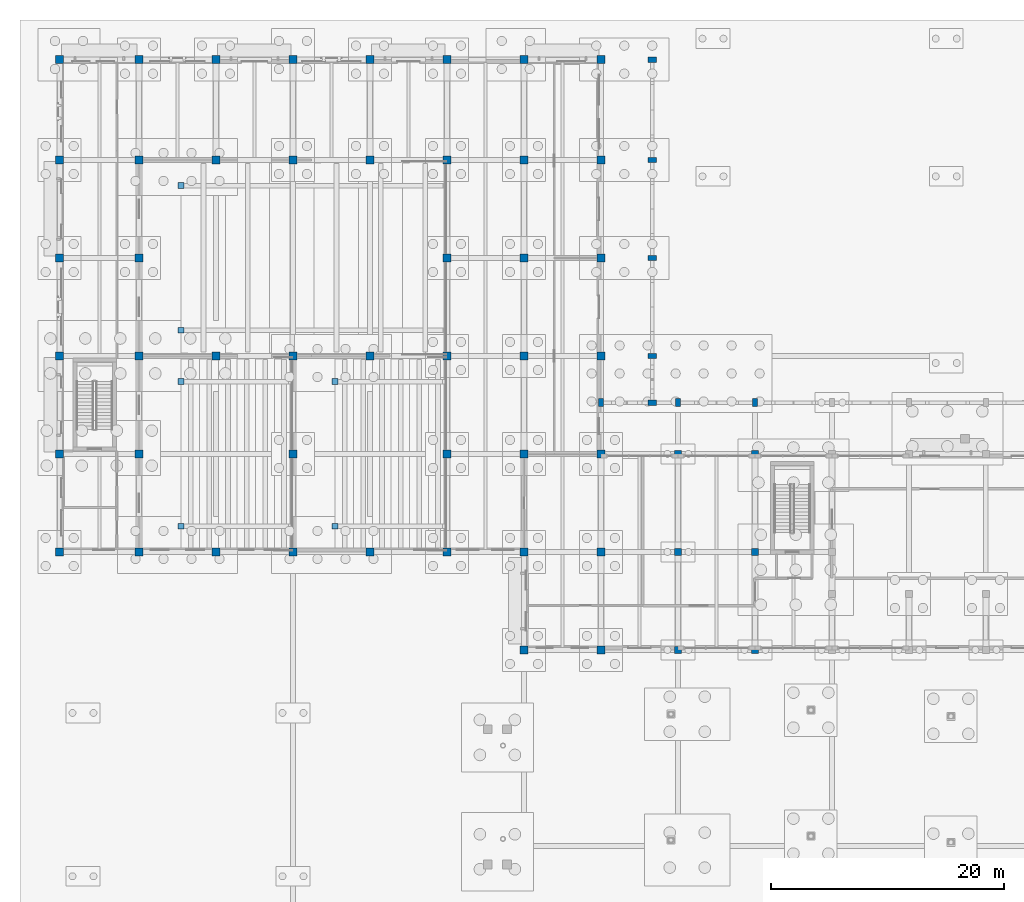
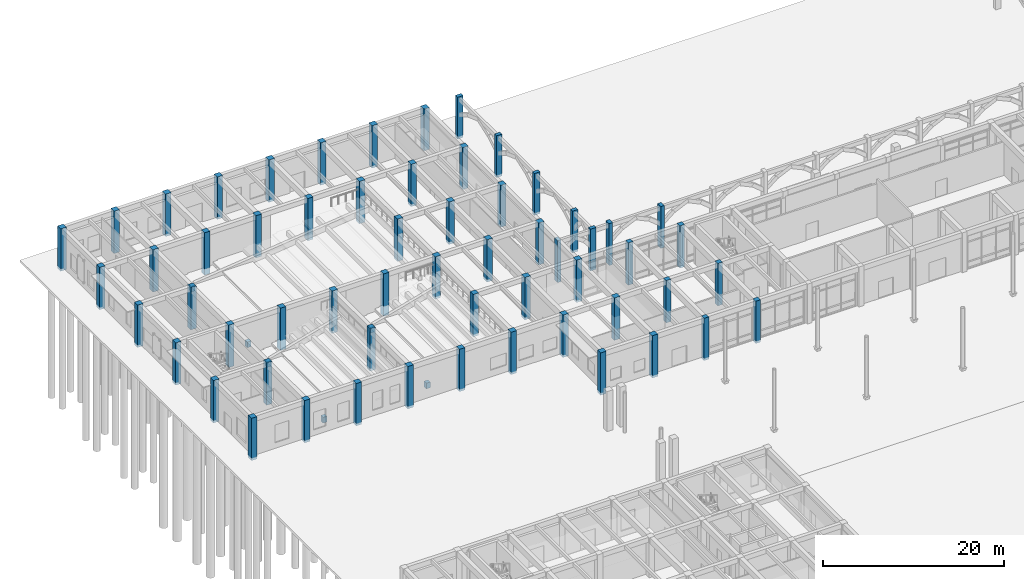
# One storey, part 15 of 82: 65 columns.
"""IFC4 building model written with IfcOpenShell, lengths in metres."""

from ifc_helpers import new_model, si_unit, direction, frame, origin, origin_2d, place, context, subcontext, project, spatial, rectangle, extrude, material, material_profile, profile_set, type_object, element, save


model = new_model("IFC4")

# Units and contexts
model_context = context("Model", 3, precision=1e-05, world=origin(), true_north=direction((0.0, 1.0)))
body_context = subcontext(model_context, "Body", "Model", "MODEL_VIEW")
ifc_project = project(units=[si_unit("LENGTHUNIT", "METRE"), si_unit("AREAUNIT", "SQUARE_METRE"), si_unit("VOLUMEUNIT", "CUBIC_METRE"), si_unit("PLANEANGLEUNIT", "RADIAN"), si_unit("MASSUNIT", "GRAM", prefix="KILO")], contexts=[model_context])

# Site, building, storey
site_placement = place(None, origin())
site = spatial("IfcSite", under=ifc_project, at=site_placement, CompositionType="ELEMENT")
building_placement = place(site_placement, origin())
building = spatial("IfcBuilding", under=site, at=building_placement, Name="Kolvaren Faculty of Natural Sciences", CompositionType="ELEMENT")
storey_placement = place(building_placement, origin())
storey = spatial("IfcBuildingStorey", under=building, at=storey_placement, Name="L00", CompositionType="ELEMENT", Elevation=0.0)

# Columns
ifc_material_1 = material(Name="Concrete C35/45", Category="concrete")
ifc_material_profile_1 = material_profile(ifc_material_1, rectangle(XDim=0.60009765625, YDim=0.60009765625, at=origin_2d()), Name="RC COL 600x600")
ifc_profile_set_1 = profile_set([ifc_material_profile_1], Name="Concrete C35/45")
column_type_1 = type_object("IfcColumnType", Name="FrameColumn_600x600", PredefinedType="COLUMN", material=ifc_profile_set_1)
for number, where, z_axis, x_axis, name in (
    (1, (53.0, 67.39990234375, -0.320068359375), (0.0, 0.0, 1.0), (1.0, 0.0, 0.0), "L00 column FC-60 at 9/J"),
    (2, (53.0, 75.800048828125, -0.320068359375), (0.0, 0.0, 1.0), (1.0, 0.0, 0.0), "L00 column FC-60 at 9/K"),
    (3, (53.0, 84.199951171875, -0.320068359375), (0.0, 0.0, 1.0), (1.0, 0.0, 0.0), "L00 column FC-60 at 9/L"),
    (4, (59.60009765625, 67.39990234375, -0.320068359375), (0.0, 0.0, 1.0), (1.0, 0.0, 0.0), "L00 column FC-60 at 10/J"),
    (5, (59.60009765625, 75.800048828125, -0.320068359375), (0.0, 0.0, 1.0), (1.0, 0.0, 0.0), "L00 column FC-60 at 10/K"),
    (6, (59.60009765625, 84.199951171875, -0.320068359375), (0.0, 0.0, 1.0), (1.0, 0.0, 0.0), "L00 column FC-60 at 10/L"),
):
    element("IfcColumn", number, at=place(storey_placement, frame(where, z_axis=z_axis, x_axis=x_axis)), inside=storey, type_object=column_type_1, Name=name, PredefinedType="COLUMN", context=body_context, shape_type="SweptSolid", body=[
        extrude(rectangle(XDim=0.60009765625, YDim=0.60009765625, at=origin_2d()), origin(), (0.0, 0.0, 1.0), 5.719970703125),
    ])
ifc_material_profile_2 = material_profile(ifc_material_1, rectangle(XDim=0.5, YDim=0.5, at=origin_2d()), Name="RC COL 500x500")
ifc_profile_set_2 = profile_set([ifc_material_profile_2], Name="Concrete C35/45")
column_type_2 = type_object("IfcColumnType", Name="GaliboColumn_500x500", PredefinedType="COLUMN", material=ifc_profile_set_2)
for number, where, z_axis, x_axis, name in (
    (7, (10.39990234375, 94.800048828125, -0.320068359375), (0.0, 0.0, 1.0), (1.0, 0.0, 0.0), "Lecture theatre LT-1 raker toe pedestal 1"),
    (8, (10.39990234375, 107.199951171875, -0.320068359375), (0.0, 0.0, 1.0), (1.0, 0.0, 0.0), "Lecture theatre LT-1 raker toe pedestal 2"),
    (9, (10.39990234375, 78.0, -0.320068359375), (0.0, 0.0, 1.0), (1.0, 0.0, 0.0), "Lecture theatre LT-2 raker toe pedestal 1"),
    (10, (10.39990234375, 90.39990234375, -0.320068359375), (0.0, 0.0, 1.0), (1.0, 0.0, 0.0), "Lecture theatre LT-2 raker toe pedestal 2"),
    (11, (23.60009765625, 78.0, -0.320068359375), (0.0, 0.0, 1.0), (1.0, 0.0, 0.0), "Lecture theatre LT-3 raker toe pedestal 1"),
    (12, (23.60009765625, 90.39990234375, -0.320068359375), (0.0, 0.0, 1.0), (1.0, 0.0, 0.0), "Lecture theatre LT-3 raker toe pedestal 2"),
):
    element("IfcColumn", number, at=place(storey_placement, frame(where, z_axis=z_axis, x_axis=x_axis)), inside=storey, type_object=column_type_2, Name=name, PredefinedType="COLUMN", context=body_context, shape_type="SweptSolid", body=[
        extrude(rectangle(XDim=0.5, YDim=0.5, at=origin_2d()), origin(), (0.0, 0.0, 1.0), 0.77001953125),
    ])
ifc_material_profile_3 = material_profile(ifc_material_1, rectangle(XDim=0.449951171875, YDim=0.699951171875, at=origin_2d()), Name="RC PIL 450x700")
ifc_profile_set_3 = profile_set([ifc_material_profile_3], Name="Concrete C35/45")
column_type_3 = type_object("IfcColumnType", Name="RiwaqPilaster_450x700", PredefinedType="PILASTER", material=ifc_profile_set_3)
for number, where, z_axis, x_axis, name in (
    (13, (46.39990234375, 88.60009765625, -0.320068359375), (0.0, 0.0, 1.0), (1.0, 0.0, 0.0), "Riwaq colonnade pilaster PL-45 S-8"),
    (14, (53.0, 88.60009765625, -0.320068359375), (0.0, 0.0, 1.0), (1.0, 0.0, 0.0), "Riwaq colonnade pilaster PL-45 S-9"),
    (15, (59.60009765625, 88.60009765625, -0.320068359375), (0.0, 0.0, 1.0), (1.0, 0.0, 0.0), "Riwaq colonnade pilaster PL-45 S-10"),
    (16, (50.800048828125, 88.60009765625, -0.320068359375), (0.0, 0.0, 1.0), (0.0, 1.0, 0.0), "Riwaq colonnade pilaster PL-45 W-COR"),
    (17, (50.800048828125, 92.60009765625, -0.320068359375), (0.0, 0.0, 1.0), (0.0, 1.0, 0.0), "Riwaq colonnade pilaster PL-45 W-M"),
    (18, (50.800048828125, 101.0, -0.320068359375), (0.0, 0.0, 1.0), (0.0, 1.0, 0.0), "Riwaq colonnade pilaster PL-45 W-N"),
    (19, (50.800048828125, 109.39990234375, -0.320068359375), (0.0, 0.0, 1.0), (0.0, 1.0, 0.0), "Riwaq colonnade pilaster PL-45 W-P"),
    (20, (50.800048828125, 118.0, -0.320068359375), (0.0, 0.0, 1.0), (0.0, 1.0, 0.0), "Riwaq colonnade pilaster PL-45 W-Q"),
):
    element("IfcColumn", number, at=place(storey_placement, frame(where, z_axis=z_axis, x_axis=x_axis)), inside=storey, type_object=column_type_3, Name=name, PredefinedType="PILASTER", context=body_context, shape_type="SweptSolid", body=[
        extrude(rectangle(XDim=0.449951171875, YDim=0.699951171875, at=origin_2d()), origin(), (0.0, 0.0, 1.0), 5.66015625),
    ])
ifc_material_2 = material(Name="Concrete C40/50", Category="concrete")
ifc_material_profile_4 = material_profile(ifc_material_2, rectangle(XDim=0.699951171875, YDim=0.699951171875, at=origin_2d()), Name="RC COL 700x700")
ifc_profile_set_4 = profile_set([ifc_material_profile_4], Name="Concrete C40/50")
column_type_4 = type_object("IfcColumnType", Name="WingColumn_700x700", PredefinedType="COLUMN", material=ifc_profile_set_4)
for number, where, z_axis, x_axis, name in (
    (21, (0.0, 75.800048828125, -0.320068359375), (0.0, 0.0, 1.0), (1.0, 0.0, 0.0), "L00 column WC-70 at 1/K"),
    (22, (0.0, 84.199951171875, -0.320068359375), (0.0, 0.0, 1.0), (1.0, 0.0, 0.0), "L00 column WC-70 at 1/L"),
    (23, (0.0, 92.60009765625, -0.320068359375), (0.0, 0.0, 1.0), (1.0, 0.0, 0.0), "L00 column WC-70 at 1/M"),
    (24, (0.0, 101.0, -0.320068359375), (0.0, 0.0, 1.0), (1.0, 0.0, 0.0), "L00 column WC-70 at 1/N"),
    (25, (0.0, 109.39990234375, -0.320068359375), (0.0, 0.0, 1.0), (1.0, 0.0, 0.0), "L00 column WC-70 at 1/P"),
    (26, (0.0, 118.0, -0.320068359375), (0.0, 0.0, 1.0), (1.0, 0.0, 0.0), "L00 column WC-70 at 1/Q"),
    (27, (6.800048828125, 75.800048828125, -0.320068359375), (0.0, 0.0, 1.0), (1.0, 0.0, 0.0), "L00 column WC-70 at 2/K"),
    (28, (6.800048828125, 84.199951171875, -0.320068359375), (0.0, 0.0, 1.0), (1.0, 0.0, 0.0), "L00 column WC-70 at 2/L"),
    (29, (6.800048828125, 92.60009765625, -0.320068359375), (0.0, 0.0, 1.0), (1.0, 0.0, 0.0), "L00 column WC-70 at 2/M"),
    (30, (6.800048828125, 101.0, -0.320068359375), (0.0, 0.0, 1.0), (1.0, 0.0, 0.0), "L00 column WC-70 at 2/N"),
    (31, (6.800048828125, 109.39990234375, -0.320068359375), (0.0, 0.0, 1.0), (1.0, 0.0, 0.0), "L00 column WC-70 at 2/P"),
    (32, (6.800048828125, 118.0, -0.320068359375), (0.0, 0.0, 1.0), (1.0, 0.0, 0.0), "L00 column WC-70 at 2/Q"),
    (33, (13.39990234375, 75.800048828125, -0.320068359375), (0.0, 0.0, 1.0), (1.0, 0.0, 0.0), "L00 column WC-70 at 3/K"),
    (34, (13.39990234375, 92.60009765625, -0.320068359375), (0.0, 0.0, 1.0), (1.0, 0.0, 0.0), "L00 column WC-70 at 3/M"),
    (35, (13.39990234375, 109.39990234375, -0.320068359375), (0.0, 0.0, 1.0), (1.0, 0.0, 0.0), "L00 column WC-70 at 3/P"),
    (36, (13.39990234375, 118.0, -0.320068359375), (0.0, 0.0, 1.0), (1.0, 0.0, 0.0), "L00 column WC-70 at 3/Q"),
    (37, (20.0, 75.800048828125, -0.320068359375), (0.0, 0.0, 1.0), (1.0, 0.0, 0.0), "L00 column WC-70 at 4/K"),
    (38, (20.0, 84.199951171875, -0.320068359375), (0.0, 0.0, 1.0), (1.0, 0.0, 0.0), "L00 column WC-70 at 4/L"),
    (39, (20.0, 92.60009765625, -0.320068359375), (0.0, 0.0, 1.0), (1.0, 0.0, 0.0), "L00 column WC-70 at 4/M"),
    (40, (20.0, 109.39990234375, -0.320068359375), (0.0, 0.0, 1.0), (1.0, 0.0, 0.0), "L00 column WC-70 at 4/P"),
    (41, (20.0, 118.0, -0.320068359375), (0.0, 0.0, 1.0), (1.0, 0.0, 0.0), "L00 column WC-70 at 4/Q"),
    (42, (26.60009765625, 75.800048828125, -0.320068359375), (0.0, 0.0, 1.0), (1.0, 0.0, 0.0), "L00 column WC-70 at 5/K"),
    (43, (26.60009765625, 92.60009765625, -0.320068359375), (0.0, 0.0, 1.0), (1.0, 0.0, 0.0), "L00 column WC-70 at 5/M"),
    (44, (26.60009765625, 109.39990234375, -0.320068359375), (0.0, 0.0, 1.0), (1.0, 0.0, 0.0), "L00 column WC-70 at 5/P"),
    (45, (26.60009765625, 118.0, -0.320068359375), (0.0, 0.0, 1.0), (1.0, 0.0, 0.0), "L00 column WC-70 at 5/Q"),
    (46, (33.199951171875, 75.800048828125, -0.320068359375), (0.0, 0.0, 1.0), (1.0, 0.0, 0.0), "L00 column WC-70 at 6/K"),
    (47, (33.199951171875, 84.199951171875, -0.320068359375), (0.0, 0.0, 1.0), (1.0, 0.0, 0.0), "L00 column WC-70 at 6/L"),
    (48, (33.199951171875, 92.60009765625, -0.320068359375), (0.0, 0.0, 1.0), (1.0, 0.0, 0.0), "L00 column WC-70 at 6/M"),
    (49, (33.199951171875, 101.0, -0.320068359375), (0.0, 0.0, 1.0), (1.0, 0.0, 0.0), "L00 column WC-70 at 6/N"),
    (50, (33.199951171875, 109.39990234375, -0.320068359375), (0.0, 0.0, 1.0), (1.0, 0.0, 0.0), "L00 column WC-70 at 6/P"),
    (51, (33.199951171875, 118.0, -0.320068359375), (0.0, 0.0, 1.0), (1.0, 0.0, 0.0), "L00 column WC-70 at 6/Q"),
    (52, (39.800048828125, 67.39990234375, -0.320068359375), (0.0, 0.0, 1.0), (1.0, 0.0, 0.0), "L00 column WC-70 at 7/J"),
    (53, (39.800048828125, 75.800048828125, -0.320068359375), (0.0, 0.0, 1.0), (1.0, 0.0, 0.0), "L00 column WC-70 at 7/K"),
    (54, (39.800048828125, 84.199951171875, -0.320068359375), (0.0, 0.0, 1.0), (1.0, 0.0, 0.0), "L00 column WC-70 at 7/L"),
    (55, (39.800048828125, 92.60009765625, -0.320068359375), (0.0, 0.0, 1.0), (1.0, 0.0, 0.0), "L00 column WC-70 at 7/M"),
    (56, (39.800048828125, 101.0, -0.320068359375), (0.0, 0.0, 1.0), (1.0, 0.0, 0.0), "L00 column WC-70 at 7/N"),
    (57, (39.800048828125, 109.39990234375, -0.320068359375), (0.0, 0.0, 1.0), (1.0, 0.0, 0.0), "L00 column WC-70 at 7/P"),
    (58, (39.800048828125, 118.0, -0.320068359375), (0.0, 0.0, 1.0), (1.0, 0.0, 0.0), "L00 column WC-70 at 7/Q"),
    (59, (46.39990234375, 67.39990234375, -0.320068359375), (0.0, 0.0, 1.0), (1.0, 0.0, 0.0), "L00 column WC-70 at 8/J"),
    (60, (46.39990234375, 75.800048828125, -0.320068359375), (0.0, 0.0, 1.0), (1.0, 0.0, 0.0), "L00 column WC-70 at 8/K"),
    (61, (46.39990234375, 84.199951171875, -0.320068359375), (0.0, 0.0, 1.0), (1.0, 0.0, 0.0), "L00 column WC-70 at 8/L"),
):
    element("IfcColumn", number, at=place(storey_placement, frame(where, z_axis=z_axis, x_axis=x_axis)), inside=storey, type_object=column_type_4, Name=name, PredefinedType="COLUMN", context=body_context, shape_type="SweptSolid", body=[
        extrude(rectangle(XDim=0.699951171875, YDim=0.699951171875, at=origin_2d()), origin(), (0.0, 0.0, 1.0), 5.719970703125),
    ])
for number, where, z_axis, x_axis, name in (
    (62, (46.39990234375, 92.60009765625, -0.320068359375), (0.0, 0.0, 1.0), (1.0, 0.0, 0.0), "L00 column WC-70 at 8/M"),
    (63, (46.39990234375, 101.0, -0.320068359375), (0.0, 0.0, 1.0), (1.0, 0.0, 0.0), "L00 column WC-70 at 8/N"),
    (64, (46.39990234375, 109.39990234375, -0.320068359375), (0.0, 0.0, 1.0), (1.0, 0.0, 0.0), "L00 column WC-70 at 8/P"),
    (65, (46.39990234375, 118.0, -0.320068359375), (0.0, 0.0, 1.0), (1.0, 0.0, 0.0), "L00 column WC-70 at 8/Q"),
):
    element("IfcColumn", number, at=place(storey_placement, frame(where, z_axis=z_axis, x_axis=x_axis)), inside=storey, type_object=column_type_4, Name=name, PredefinedType="COLUMN", context=body_context, shape_type="SweptSolid", body=[
        extrude(rectangle(XDim=0.699951171875, YDim=0.699951171875, at=origin_2d()), origin(), (0.0, 0.0, 1.0), 5.66015625),
    ])

save(model, "model.ifc")
